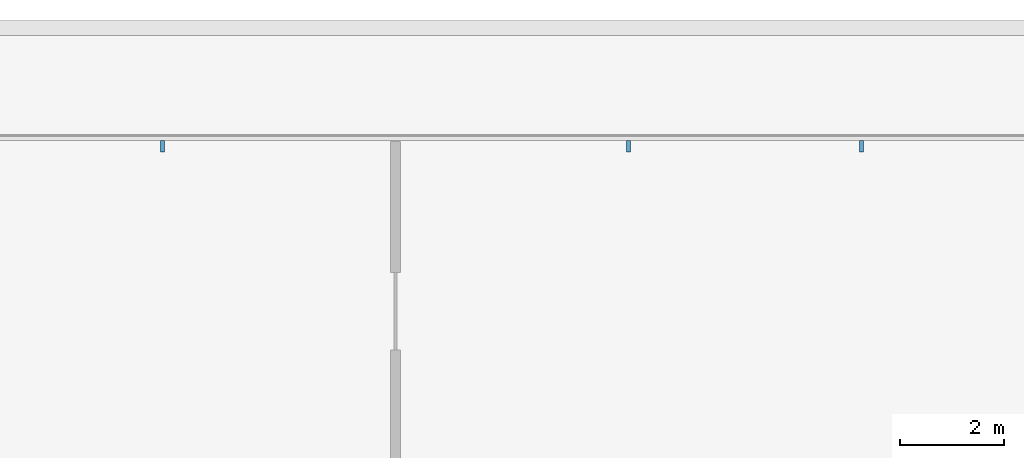
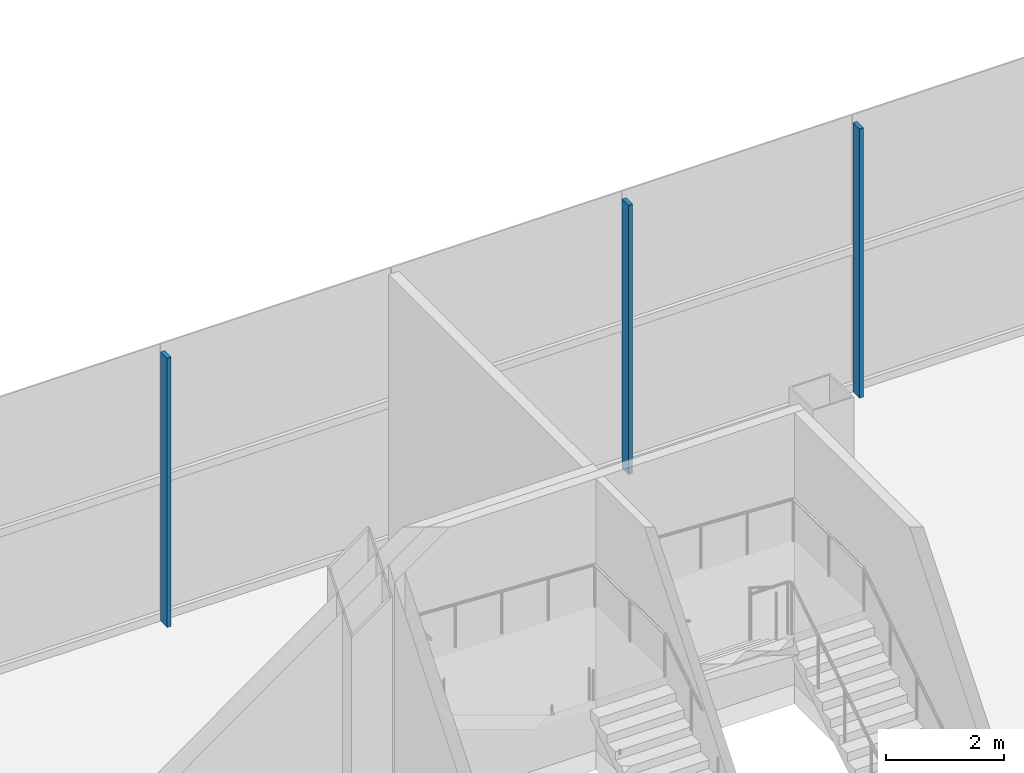
# One storey, part 12 of 38: 3 members, 1 element without a shape of its own.
"""IFC4 building model written with IfcOpenShell, lengths in metres."""

from ifc_helpers import new_model, si_unit, direction, frame, origin, origin_2d, place, context, subcontext, project, spatial, rectangle, extrude, material, layer, layer_set, material_profile, profile_set, type_object, element, aggregate, save


model = new_model("IFC4")

# Units and contexts
model_context = context("Model", 3, precision=1e-05, world=origin(), true_north=direction((0.0, 1.0)))
body_context = subcontext(model_context, "Body", "Model", "MODEL_VIEW")
ifc_project = project(units=[si_unit("LENGTHUNIT", "METRE"), si_unit("AREAUNIT", "SQUARE_METRE"), si_unit("VOLUMEUNIT", "CUBIC_METRE"), si_unit("PLANEANGLEUNIT", "RADIAN"), si_unit("MASSUNIT", "GRAM", prefix="KILO")], contexts=[model_context])

# Site, building, storey
site_placement = place(None, origin())
site = spatial("IfcSite", under=ifc_project, at=site_placement, CompositionType="ELEMENT")
building_placement = place(site_placement, origin())
building = spatial("IfcBuilding", under=site, at=building_placement, Name="Shamsa Quay Exchange Towers", CompositionType="ELEMENT")
storey_placement = place(building_placement, frame((0.0, 0.0, 12.5)))
storey = spatial("IfcBuildingStorey", under=building, at=storey_placement, Name="L02", CompositionType="ELEMENT", Elevation=12.5)

# Curtain wall, members
ifc_material = material(Name="Aluminium EN AW-6063 T6, black anodised", Category="aluminium")
ifc_layer = layer(ifc_material, 0.33203125)
ifc_layer_set = layer_set([ifc_layer], Name="CW-3 PODIUM SHOPFRONT GLAZING")
curtain_wall_type = type_object("IfcCurtainWallType", Name="CW-3 PODIUM SHOPFRONT GLAZING", PredefinedType="NOTDEFINED", material=ifc_layer_set)
curtain_wall_placement = place(storey_placement, origin())
curtain_wall = element("IfcCurtainWall", 1, at=curtain_wall_placement, inside=storey, type_object=curtain_wall_type, Name="CW3 PODIUM-L02-F01", PredefinedType="NOTDEFINED")
ifc_material_profile = material_profile(ifc_material, rectangle(XDim=0.219970703125, YDim=0.080078125, at=origin_2d()), Name="MU80x220")
ifc_profile_set = profile_set([ifc_material_profile], Name="Aluminium EN AW-6063 T6, black anodised")
member_type = type_object("IfcMemberType", Name="CW3 MULLION 80x220", PredefinedType="MULLION", material=ifc_profile_set)
member_1_placement = place(storey_placement, frame((-4.5, 31.31005859375, 0.0), z_axis=(0.0, 0.0, 1.0), x_axis=(0.0, -1.0, 0.0)))
member_1 = element("IfcMember", 2, at=member_1_placement, type_object=member_type, Name="CW3 mullion", PredefinedType="MULLION", context=body_context, shape_type="SweptSolid", body=[
    extrude(rectangle(XDim=0.219970703125, YDim=0.080078125, at=origin_2d()), origin(), (0.0, 0.0, 1.0), 5.550048828125),
])
member_2_placement = place(storey_placement, frame((-9.0, 31.31005859375, 0.0), z_axis=(0.0, 0.0, 1.0), x_axis=(0.0, -1.0, 0.0)))
member_2 = element("IfcMember", 3, at=member_2_placement, type_object=member_type, Name="CW3 mullion", PredefinedType="MULLION", context=body_context, shape_type="SweptSolid", body=[
    extrude(rectangle(XDim=0.219970703125, YDim=0.080078125, at=origin_2d()), origin(), (0.0, 0.0, 1.0), 5.550048828125),
])
member_3_placement = place(storey_placement, frame((-18.0, 31.31005859375, 0.0), z_axis=(0.0, 0.0, 1.0), x_axis=(0.0, -1.0, 0.0)))
member_3 = element("IfcMember", 4, at=member_3_placement, type_object=member_type, Name="CW3 mullion", PredefinedType="MULLION", context=body_context, shape_type="SweptSolid", body=[
    extrude(rectangle(XDim=0.219970703125, YDim=0.080078125, at=origin_2d()), origin(), (0.0, 0.0, 1.0), 5.550048828125),
])
aggregate(curtain_wall, [member_1, member_2, member_3])

save(model, "model.ifc")
